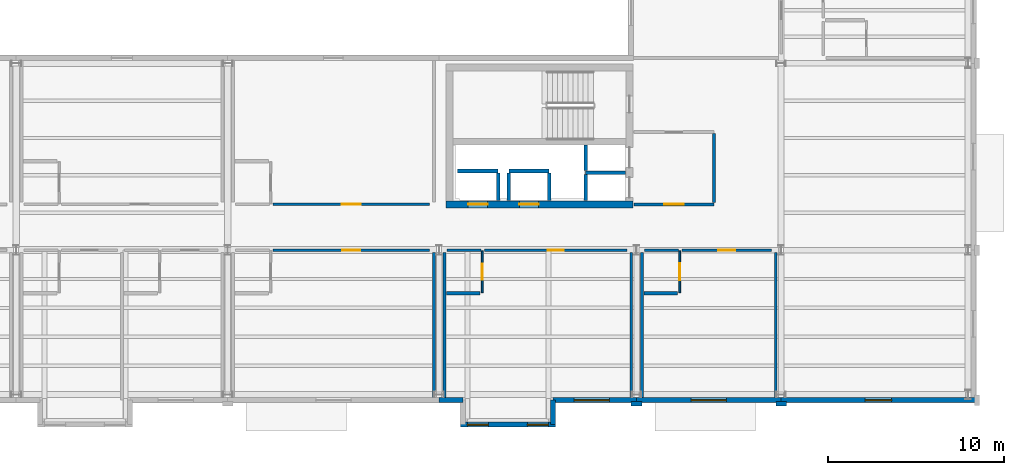
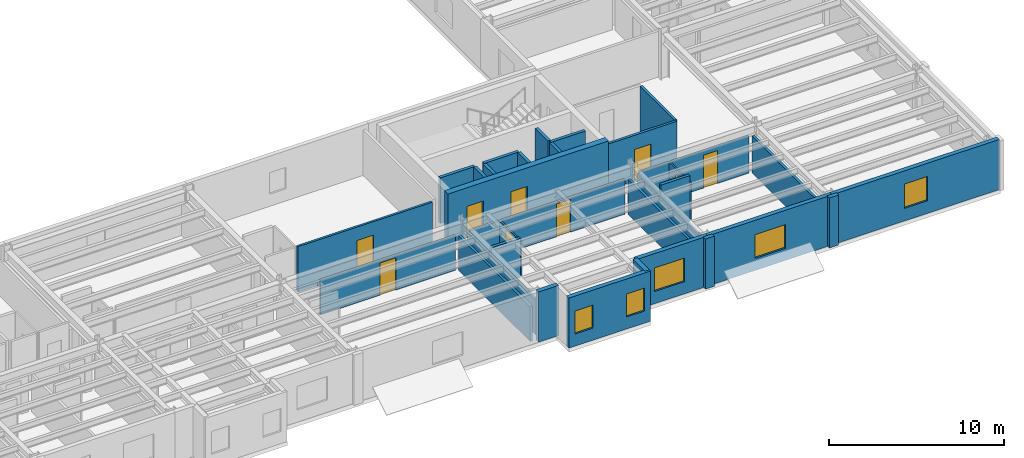
# One storey, part 12 of 19: 34 walls, 9 doors, 5 windows, 14 openings.
"""IFC4 building model written with IfcOpenShell, lengths in metres."""

from ifc_helpers import new_model, si_unit, direction, frame, frame_2d, origin, place, context, subcontext, project, spatial, rectangle, extrude, material, layer, layer_set, type_object, element, fill, save


model = new_model("IFC4")

# Units and contexts
model_context = context("Model", 3, precision=1e-05, world=origin(), true_north=direction((0.0, 1.0)))
body_context = subcontext(model_context, "Body", "Model", "MODEL_VIEW")
ifc_project = project(units=[si_unit("LENGTHUNIT", "METRE"), si_unit("AREAUNIT", "SQUARE_METRE"), si_unit("VOLUMEUNIT", "CUBIC_METRE"), si_unit("PLANEANGLEUNIT", "RADIAN"), si_unit("MASSUNIT", "GRAM", prefix="KILO")], contexts=[model_context])

# Site, building, storey
site_placement = place(None, origin())
site = spatial("IfcSite", under=ifc_project, at=site_placement, CompositionType="ELEMENT")
building_placement = place(site_placement, origin())
building = spatial("IfcBuilding", under=site, at=building_placement, Name="Sollismere Congress Hotel", CompositionType="ELEMENT")
storey_placement = place(building_placement, frame((0.0, 0.0, 34.10009765625)))
storey = spatial("IfcBuildingStorey", under=building, at=storey_placement, Name="L08", CompositionType="ELEMENT", Elevation=34.10009765625)

# Wall
ifc_material_1 = material(Name="Colorado Buff Sandstone Rainscreen on Insulated Backup", Category="masonry")
ifc_layer_1 = layer(ifc_material_1, 0.284912109375, Name="Colorado Buff Sandstone Rainscreen on Insulated Backup")
ifc_layer_set_1 = layer_set([ifc_layer_1], Name="Colorado Buff Sandstone Rainscreen on Insulated Backup")
wall_type_1 = type_object("IfcWallType", Name="WL-EXT285", PredefinedType="STANDARD", material=ifc_layer_set_1)
wall_1_placement = place(storey_placement, frame((136.0, -0.31005859375, 0.0), z_axis=(0.0, 0.0, 1.0), x_axis=(1.0, 0.0, 0.0)))
element("IfcWall", 1, at=wall_1_placement, inside=storey, type_object=wall_type_1, Name="Exterior wall EW-L08-834", PredefinedType="STANDARD", context=body_context, shape_type="SweptSolid", body=[
    extrude(rectangle(XDim=1.340087890625, YDim=0.284912109375, at=frame_2d((0.669921875, 0.0))), origin(), (0.0, 0.0, 1.0), 3.5),
])

# Wall, opening, window
wall_2_placement = place(storey_placement, frame((142.4599609375, -0.31005859375, 0.0), z_axis=(0.0, 0.0, 1.0), x_axis=(1.0, 0.0, 0.0)))
wall_2 = element("IfcWall", 2, at=wall_2_placement, inside=storey, type_object=wall_type_1, Name="Exterior wall EW-L08-835", PredefinedType="STANDARD", context=body_context, shape_type="SweptSolid", body=[
    extrude(rectangle(XDim=4.739990234375, YDim=0.284912109375, at=frame_2d((2.3701171875, 0.0))), origin(), (0.0, 0.0, 1.0), 3.5),
])
opening_1_placement = place(wall_2_placement, frame((1.195068359375, 0.0, 0.85009765625)))
opening_1 = element("IfcOpeningElement", 3, at=opening_1_placement, cuts=wall_2, Name="Opening W-L08-605", PredefinedType="OPENING", context=body_context, shape_type="SweptSolid", body=[
    extrude(rectangle(XDim=2.0, YDim=1.64990234375, at=frame_2d((1.0, 0.824951171875))), frame((0.0, 0.15234375, 0.0), z_axis=(0.0, -1.0, 0.0), x_axis=(1.0, 0.0, 0.0)), (0.0, 0.0, 1.0), 0.304931640625),
])
ifc_material_2 = material(Name="Thermally Broken Bronze Aluminum & Low-E Glass", Category="aluminium")
window_type_1 = type_object("IfcWindowType", Name="WN-P200x165", PartitioningType="SINGLE_PANEL", PredefinedType="WINDOW", material=ifc_material_2)
window_1_placement = place(opening_1_placement, origin())
window_1 = element("IfcWindow", 4, at=window_1_placement, inside=storey, type_object=window_type_1, Name="WIN-W-L08-605", OverallHeight=1.64990234375, OverallWidth=2.0, PartitioningType="SINGLE_PANEL", PredefinedType="WINDOW", context=body_context, shape_type="SweptSolid", body=[
    extrude(rectangle(XDim=2.0, YDim=1.64990234375, at=frame_2d((1.0, 0.824951171875))), frame((0.0, 0.030029296875, 0.0), z_axis=(0.0, -1.0, 0.0), x_axis=(1.0, 0.0, 0.0)), (0.0, 0.0, 1.0), 0.06005859375),
])
fill(opening_1, window_1)

# Wall, openings, windows
wall_3_placement = place(storey_placement, frame((137.199951171875, -1.699951171875, 0.0), z_axis=(0.0, 0.0, 1.0), x_axis=(1.0, 0.0, 0.0)))
wall_3 = element("IfcWall", 5, at=wall_3_placement, inside=storey, type_object=wall_type_1, Name="Exterior wall EW-L08-836", PredefinedType="STANDARD", context=body_context, shape_type="SweptSolid", body=[
    extrude(rectangle(XDim=5.400146484375, YDim=0.284912109375, at=frame_2d((2.7001953125, 0.0))), origin(), (0.0, 0.0, 1.0), 3.5),
])
opening_2_placement = place(wall_3_placement, frame((0.39990234375, 0.0, 0.85009765625)))
opening_2 = element("IfcOpeningElement", 6, at=opening_2_placement, cuts=wall_3, Name="Opening W-L08-606", PredefinedType="OPENING", context=body_context, shape_type="SweptSolid", body=[
    extrude(rectangle(XDim=1.199951171875, YDim=1.60009765625, at=frame_2d((0.60009765625, 0.800048828125))), frame((0.0, 0.15234375, 0.0), z_axis=(0.0, -1.0, 0.0), x_axis=(1.0, 0.0, 0.0)), (0.0, 0.0, 1.0), 0.304931640625),
])
opening_3_placement = place(wall_3_placement, frame((3.800048828125, 0.0, 0.85009765625)))
opening_3 = element("IfcOpeningElement", 7, at=opening_3_placement, cuts=wall_3, Name="Opening W-L08-607", PredefinedType="OPENING", context=body_context, shape_type="SweptSolid", body=[
    extrude(rectangle(XDim=1.199951171875, YDim=1.60009765625, at=frame_2d((0.60009765625, 0.800048828125))), frame((0.0, 0.15234375, 0.0), z_axis=(0.0, -1.0, 0.0), x_axis=(1.0, 0.0, 0.0)), (0.0, 0.0, 1.0), 0.304931640625),
])
window_type_2 = type_object("IfcWindowType", Name="WN-P120x160", PartitioningType="SINGLE_PANEL", PredefinedType="WINDOW", material=ifc_material_2)
window_2_placement = place(opening_2_placement, origin())
window_2 = element("IfcWindow", 8, at=window_2_placement, inside=storey, type_object=window_type_2, Name="WIN-W-L08-606", OverallHeight=1.60009765625, OverallWidth=1.199951171875, PartitioningType="SINGLE_PANEL", PredefinedType="WINDOW", context=body_context, shape_type="SweptSolid", body=[
    extrude(rectangle(XDim=1.199951171875, YDim=1.60009765625, at=frame_2d((0.60009765625, 0.800048828125))), frame((0.0, 0.030029296875, 0.0), z_axis=(0.0, -1.0, 0.0), x_axis=(1.0, 0.0, 0.0)), (0.0, 0.0, 1.0), 0.06005859375),
])
fill(opening_2, window_2)
window_3_placement = place(opening_3_placement, origin())
window_3 = element("IfcWindow", 9, at=window_3_placement, inside=storey, type_object=window_type_2, Name="WIN-W-L08-607", OverallHeight=1.60009765625, OverallWidth=1.199951171875, PartitioningType="SINGLE_PANEL", PredefinedType="WINDOW", context=body_context, shape_type="SweptSolid", body=[
    extrude(rectangle(XDim=1.199951171875, YDim=1.60009765625, at=frame_2d((0.60009765625, 0.800048828125))), frame((0.0, 0.030029296875, 0.0), z_axis=(0.0, -1.0, 0.0), x_axis=(1.0, 0.0, 0.0)), (0.0, 0.0, 1.0), 0.06005859375),
])
fill(opening_3, window_3)

# Wall
wall_4_placement = place(storey_placement, frame((142.4599609375, -1.699951171875, 0.0), z_axis=(0.0, 0.0, 1.0), x_axis=(0.0, 1.0, 0.0)))
element("IfcWall", 10, at=wall_4_placement, inside=storey, type_object=wall_type_1, Name="Exterior wall EW-L08-838", PredefinedType="STANDARD", context=body_context, shape_type="SweptSolid", body=[
    extrude(rectangle(XDim=1.389892578125, YDim=0.284912109375, at=frame_2d((0.69482421875, 0.0))), origin(), (0.0, 0.0, 1.0), 3.5),
])

# Wall, opening, window
wall_5_placement = place(storey_placement, frame((147.199951171875, -0.31005859375, 0.0), z_axis=(0.0, 0.0, 1.0), x_axis=(1.0, 0.0, 0.0)))
wall_5 = element("IfcWall", 11, at=wall_5_placement, inside=storey, type_object=wall_type_1, Name="Exterior wall EW-L08-839", PredefinedType="STANDARD", context=body_context, shape_type="SweptSolid", body=[
    extrude(rectangle(XDim=8.199951171875, YDim=0.284912109375, at=frame_2d((4.10009765625, 0.0))), origin(), (0.0, 0.0, 1.0), 3.5),
])
opening_4_placement = place(wall_5_placement, frame((3.10009765625, 0.0, 0.85009765625)))
opening_4 = element("IfcOpeningElement", 12, at=opening_4_placement, cuts=wall_5, Name="Opening W-L08-608", PredefinedType="OPENING", context=body_context, shape_type="SweptSolid", body=[
    extrude(rectangle(XDim=2.0, YDim=1.64990234375, at=frame_2d((1.0, 0.824951171875))), frame((0.0, 0.15234375, 0.0), z_axis=(0.0, -1.0, 0.0), x_axis=(1.0, 0.0, 0.0)), (0.0, 0.0, 1.0), 0.304931640625),
])
window_4_placement = place(opening_4_placement, origin())
window_4 = element("IfcWindow", 13, at=window_4_placement, inside=storey, type_object=window_type_1, Name="WIN-W-L08-608", OverallHeight=1.64990234375, OverallWidth=2.0, PartitioningType="SINGLE_PANEL", PredefinedType="WINDOW", context=body_context, shape_type="SweptSolid", body=[
    extrude(rectangle(XDim=2.0, YDim=1.64990234375, at=frame_2d((1.0, 0.824951171875))), frame((0.0, 0.030029296875, 0.0), z_axis=(0.0, -1.0, 0.0), x_axis=(1.0, 0.0, 0.0)), (0.0, 0.0, 1.0), 0.06005859375),
])
fill(opening_4, window_4)

wall_6_placement = place(storey_placement, frame((155.39990234375, -0.31005859375, 0.0), z_axis=(0.0, 0.0, 1.0), x_axis=(1.0, 0.0, 0.0)))
wall_6 = element("IfcWall", 14, at=wall_6_placement, inside=storey, type_object=wall_type_1, Name="Exterior wall EW-L08-841", PredefinedType="STANDARD", context=body_context, shape_type="SweptSolid", body=[
    extrude(rectangle(XDim=11.050048828125, YDim=0.284912109375, at=frame_2d((5.52490234375, 0.0))), origin(), (0.0, 0.0, 1.0), 3.5),
])
opening_5_placement = place(wall_6_placement, frame((4.77490234375, 0.0, 0.8798828125)))
opening_5 = element("IfcOpeningElement", 15, at=opening_5_placement, cuts=wall_6, Name="Opening W-L08-609", PredefinedType="OPENING", context=body_context, shape_type="SweptSolid", body=[
    extrude(rectangle(XDim=1.5, YDim=1.699951171875, at=frame_2d((0.75, 0.85009765625))), frame((0.0, 0.15234375, 0.0), z_axis=(0.0, -1.0, 0.0), x_axis=(1.0, 0.0, 0.0)), (0.0, 0.0, 1.0), 0.304931640625),
])
window_type_3 = type_object("IfcWindowType", Name="WN-P150x170", PartitioningType="SINGLE_PANEL", PredefinedType="WINDOW", material=ifc_material_2)
window_5_placement = place(opening_5_placement, origin())
window_5 = element("IfcWindow", 16, at=window_5_placement, inside=storey, type_object=window_type_3, Name="WIN-W-L08-609", OverallHeight=1.699951171875, OverallWidth=1.5, PartitioningType="SINGLE_PANEL", PredefinedType="WINDOW", context=body_context, shape_type="SweptSolid", body=[
    extrude(rectangle(XDim=1.5, YDim=1.699951171875, at=frame_2d((0.75, 0.85009765625))), frame((0.0, 0.030029296875, 0.0), z_axis=(0.0, -1.0, 0.0), x_axis=(1.0, 0.0, 0.0)), (0.0, 0.0, 1.0), 0.06005859375),
])
fill(opening_5, window_5)

# Walls
ifc_material_3 = material(Name="Carved Travertine Pilaster & Frieze Assembly", Category="masonry")
ifc_layer_2 = layer(ifc_material_3, 0.260009765625, Name="Carved Travertine Pilaster & Frieze Assembly")
ifc_layer_set_2 = layer_set([ifc_layer_2], Name="Carved Travertine Pilaster & Frieze Assembly")
wall_type_2 = type_object("IfcWallType", Name="WL-PIL280", PredefinedType="ELEMENTEDWALL", material=ifc_layer_set_2)
wall_7_placement = place(storey_placement, frame((146.89990234375, -0.52001953125, 0.0), z_axis=(0.0, 0.0, 1.0), x_axis=(1.0, 0.0, 0.0)))
element("IfcWall", 17, at=wall_7_placement, inside=storey, type_object=wall_type_2, Name="Exterior wall EW-L08-840", PredefinedType="ELEMENTEDWALL", context=body_context, shape_type="SweptSolid", body=[
    extrude(rectangle(XDim=0.60009765625, YDim=0.260009765625, at=frame_2d((0.300048828125, 0.0))), origin(), (0.0, 0.0, 1.0), 3.5),
])
wall_8_placement = place(storey_placement, frame((155.10009765625, -0.52001953125, 0.0), z_axis=(0.0, 0.0, 1.0), x_axis=(1.0, 0.0, 0.0)))
element("IfcWall", 18, at=wall_8_placement, inside=storey, type_object=wall_type_2, Name="Exterior wall EW-L08-842", PredefinedType="ELEMENTEDWALL", context=body_context, shape_type="SweptSolid", body=[
    extrude(rectangle(XDim=0.599853515625, YDim=0.260009765625, at=frame_2d((0.2998046875, 0.0))), origin(), (0.0, 0.0, 1.0), 3.5),
])
ifc_material_4 = material(Name="Moisture-Resistant Shaft Gypsum Assembly")
ifc_layer_3 = layer(ifc_material_4, 0.199951171875, Name="Moisture-Resistant Shaft Gypsum Assembly")
ifc_layer_set_3 = layer_set([ifc_layer_3], Name="Moisture-Resistant Shaft Gypsum Assembly")
wall_type_3 = type_object("IfcWallType", Name="WL-PLM200", PredefinedType="PLUMBINGWALL", material=ifc_layer_set_3)
wall_9_placement = place(storey_placement, frame((137.054931640625, 12.68994140625, 0.0), z_axis=(0.0, 0.0, 1.0), x_axis=(1.0, 0.0, 0.0)))
element("IfcWall", 19, at=wall_9_placement, inside=storey, type_object=wall_type_3, Name="Interior wall IW-L08-0150", PredefinedType="PLUMBINGWALL", context=body_context, shape_type="SweptSolid", body=[
    extrude(rectangle(XDim=2.2900390625, YDim=0.199951171875, at=frame_2d((1.14501953125, 0.0))), origin(), (0.0, 0.0, 1.0), 3.18994140625),
])
wall_10_placement = place(storey_placement, frame((139.344970703125, 11.011962890625, 0.0), z_axis=(0.0, 0.0, 1.0), x_axis=(0.0, 1.0, 0.0)))
element("IfcWall", 20, at=wall_10_placement, inside=storey, type_object=wall_type_3, Name="Interior wall IW-L08-0151", PredefinedType="PLUMBINGWALL", context=body_context, shape_type="SweptSolid", body=[
    extrude(rectangle(XDim=1.56591796875, YDim=0.199951171875, at=frame_2d((0.782958984375, 0.0))), origin(), (0.0, 0.0, 1.0), 3.18994140625),
])
wall_11_placement = place(storey_placement, frame((139.955078125, 12.68994140625, 0.0), z_axis=(0.0, 0.0, 1.0), x_axis=(1.0, 0.0, 0.0)))
element("IfcWall", 21, at=wall_11_placement, inside=storey, type_object=wall_type_3, Name="Interior wall IW-L08-0152", PredefinedType="PLUMBINGWALL", context=body_context, shape_type="SweptSolid", body=[
    extrude(rectangle(XDim=2.2900390625, YDim=0.199951171875, at=frame_2d((1.14501953125, 0.0))), origin(), (0.0, 0.0, 1.0), 3.18994140625),
])
for number, where, z_axis, x_axis, name in (
    (22, (139.955078125, 11.011962890625, 0.0), (0.0, 0.0, 1.0), (0.0, 1.0, 0.0), "Interior wall IW-L08-0153"),
    (23, (142.2451171875, 11.011962890625, 0.0), (0.0, 0.0, 1.0), (0.0, 1.0, 0.0), "Interior wall IW-L08-0154"),
):
    element("IfcWall", number, at=place(storey_placement, frame(where, z_axis=z_axis, x_axis=x_axis)), inside=storey, type_object=wall_type_3, Name=name, PredefinedType="PLUMBINGWALL", context=body_context, shape_type="SweptSolid", body=[
        extrude(rectangle(XDim=1.56591796875, YDim=0.199951171875, at=frame_2d((0.782958984375, 0.0))), origin(), (0.0, 0.0, 1.0), 3.18994140625),
    ])
wall_12_placement = place(storey_placement, frame((144.31005859375, 12.594970703125, 0.0), z_axis=(0.0, 0.0, 1.0), x_axis=(1.0, 0.0, 0.0)))
element("IfcWall", 24, at=wall_12_placement, inside=storey, type_object=wall_type_3, Name="Interior wall IW-L08-0155", PredefinedType="PLUMBINGWALL", context=body_context, shape_type="SweptSolid", body=[
    extrude(rectangle(XDim=2.27783203125, YDim=0.199951171875, at=frame_2d((1.138916015625, 0.0))), origin(), (0.0, 0.0, 1.0), 3.18994140625),
])
wall_13_placement = place(storey_placement, frame((144.31005859375, 11.011962890625, 0.0), z_axis=(0.0, 0.0, 1.0), x_axis=(0.0, 1.0, 0.0)))
element("IfcWall", 25, at=wall_13_placement, inside=storey, type_object=wall_type_3, Name="Interior wall IW-L08-0156", PredefinedType="PLUMBINGWALL", context=body_context, shape_type="SweptSolid", body=[
    extrude(rectangle(XDim=1.470947265625, YDim=0.199951171875, at=frame_2d((0.7353515625, 0.0))), origin(), (0.0, 0.0, 1.0), 3.18994140625),
])
wall_14_placement = place(storey_placement, frame((144.31005859375, 12.70703125, 0.0), z_axis=(0.0, 0.0, 1.0), x_axis=(0.0, 1.0, 0.0)))
element("IfcWall", 26, at=wall_14_placement, inside=storey, type_object=wall_type_3, Name="Interior wall IW-L08-0157", PredefinedType="PLUMBINGWALL", context=body_context, shape_type="SweptSolid", body=[
    extrude(rectangle(XDim=1.4560546875, YDim=0.199951171875, at=frame_2d((0.72802734375, 0.0))), origin(), (0.0, 0.0, 1.0), 3.18994140625),
])
wall_15_placement = place(storey_placement, frame((136.419921875, 5.75, 0.0), z_axis=(0.0, 0.0, 1.0), x_axis=(1.0, 0.0, 0.0)))
element("IfcWall", 27, at=wall_15_placement, inside=storey, type_object=wall_type_3, Name="Interior wall IW-L08-2518", PredefinedType="PLUMBINGWALL", context=body_context, shape_type="SweptSolid", body=[
    extrude(rectangle(XDim=1.91015625, YDim=0.199951171875, at=frame_2d((0.955078125, 0.0))), origin(), (0.0, 0.0, 1.0), 2.742919921875),
])
wall_16_placement = place(storey_placement, frame((147.6201171875, 5.75, 0.0), z_axis=(0.0, 0.0, 1.0), x_axis=(1.0, 0.0, 0.0)))
element("IfcWall", 28, at=wall_16_placement, inside=storey, type_object=wall_type_3, Name="Interior wall IW-L08-2524", PredefinedType="PLUMBINGWALL", context=body_context, shape_type="SweptSolid", body=[
    extrude(rectangle(XDim=1.909912109375, YDim=0.199951171875, at=frame_2d((0.955078125, 0.0))), origin(), (0.0, 0.0, 1.0), 3.18994140625),
])

# Wall, opening, door
ifc_material_5 = material(Name="Moisture-Resistant Gypsum Partition")
ifc_layer_4 = layer(ifc_material_5, 0.10009765625, Name="Moisture-Resistant Gypsum Partition")
ifc_layer_set_4 = layer_set([ifc_layer_4], Name="Moisture-Resistant Gypsum Partition")
wall_type_4 = type_object("IfcWallType", Name="WL-PRT100", PredefinedType="PARTITIONING", material=ifc_layer_set_4)
wall_17_placement = place(storey_placement, frame((138.449951171875, 5.7900390625, 0.0), z_axis=(0.0, 0.0, 1.0), x_axis=(0.0, 1.0, 0.0)))
wall_17 = element("IfcWall", 29, at=wall_17_placement, inside=storey, type_object=wall_type_4, Name="Interior wall IW-L08-2517", PredefinedType="PARTITIONING", context=body_context, shape_type="SweptSolid", body=[
    extrude(rectangle(XDim=2.369873046875, YDim=0.10009765625, at=frame_2d((1.18505859375, 0.0))), origin(), (0.0, 0.0, 1.0), 2.427978515625),
])
opening_6_placement = place(wall_17_placement, frame((0.719970703125, 0.0, 0.0)))
opening_6 = element("IfcOpeningElement", 30, at=opening_6_placement, cuts=wall_17, Name="Opening D-L08-0889", PredefinedType="OPENING", context=body_context, shape_type="SweptSolid", body=[
    extrude(rectangle(XDim=0.929931640625, YDim=2.219970703125, at=frame_2d((0.46484375, 1.10986328125))), frame((0.0, 0.06005859375, 0.0), z_axis=(0.0, -1.0, 0.0), x_axis=(1.0, 0.0, 0.0)), (0.0, 0.0, 1.0), 0.1201171875),
])
ifc_material_6 = material(Name="Moisture-Sealed Timber Bathroom Door", Category="wood")
door_type_1 = type_object("IfcDoorType", Name="DR-BT07", OperationType="NOTDEFINED", PredefinedType="DOOR", material=ifc_material_6)
door_1_placement = place(opening_6_placement, origin())
door_1 = element("IfcDoor", 31, at=door_1_placement, inside=storey, type_object=door_type_1, Name="En-suite bathroom door D-L08-0889", OperationType="SINGLE_SWING_RIGHT", OverallHeight=2.219970703125, OverallWidth=0.929931640625, PredefinedType="DOOR", context=body_context, shape_type="SweptSolid", body=[
    extrude(rectangle(XDim=0.929931640625, YDim=2.219970703125, at=frame_2d((0.46484375, 1.10986328125))), frame((0.0, 0.02490234375, 0.0), z_axis=(0.0, -1.0, 0.0), x_axis=(1.0, 0.0, 0.0)), (0.0, 0.0, 1.0), 0.050048828125),
])
fill(opening_6, door_1)

wall_18_placement = place(storey_placement, frame((149.64990234375, 5.7900390625, 0.0), z_axis=(0.0, 0.0, 1.0), x_axis=(0.0, 1.0, 0.0)))
wall_18 = element("IfcWall", 32, at=wall_18_placement, inside=storey, type_object=wall_type_4, Name="Interior wall IW-L08-2523", PredefinedType="PARTITIONING", context=body_context, shape_type="SweptSolid", body=[
    extrude(rectangle(XDim=2.369873046875, YDim=0.10009765625, at=frame_2d((1.18505859375, 0.0))), origin(), (0.0, 0.0, 1.0), 2.602783203125),
])
opening_7_placement = place(wall_18_placement, frame((0.7080078125, 0.0, 0.0)))
opening_7 = element("IfcOpeningElement", 33, at=opening_7_placement, cuts=wall_18, Name="Opening D-L08-0891", PredefinedType="OPENING", context=body_context, shape_type="SweptSolid", body=[
    extrude(rectangle(XDim=0.955078125, YDim=2.219970703125, at=frame_2d((0.4775390625, 1.10986328125))), frame((0.0, 0.06005859375, 0.0), z_axis=(0.0, -1.0, 0.0), x_axis=(1.0, 0.0, 0.0)), (0.0, 0.0, 1.0), 0.1201171875),
])
door_type_2 = type_object("IfcDoorType", Name="DR-BT08", OperationType="NOTDEFINED", PredefinedType="DOOR", material=ifc_material_6)
door_2_placement = place(opening_7_placement, origin())
door_2 = element("IfcDoor", 34, at=door_2_placement, inside=storey, type_object=door_type_2, Name="En-suite bathroom door D-L08-0891", OperationType="SINGLE_SWING_RIGHT", OverallHeight=2.219970703125, OverallWidth=0.955078125, PredefinedType="DOOR", context=body_context, shape_type="SweptSolid", body=[
    extrude(rectangle(XDim=0.955078125, YDim=2.219970703125, at=frame_2d((0.4775390625, 1.10986328125))), frame((0.0, 0.02490234375, 0.0), z_axis=(0.0, -1.0, 0.0), x_axis=(1.0, 0.0, 0.0)), (0.0, 0.0, 1.0), 0.050048828125),
])
fill(opening_7, door_2)

ifc_material_7 = material(Name="Fire-Rated Gypsum Partition")
ifc_layer_5 = layer(ifc_material_7, 0.139892578125, Name="Fire-Rated Gypsum Partition")
ifc_layer_set_5 = layer_set([ifc_layer_5], Name="Fire-Rated Gypsum Partition")
wall_type_5 = type_object("IfcWallType", Name="WL-PRT140R", PredefinedType="PARTITIONING", material=ifc_layer_set_5)
wall_19_placement = place(storey_placement, frame((126.570068359375, 8.199951171875, 0.0), z_axis=(0.0, 0.0, 1.0), x_axis=(1.0, 0.0, 0.0)))
wall_19 = element("IfcWall", 35, at=wall_19_placement, inside=storey, type_object=wall_type_5, Name="Interior wall IW-L08-2502", PredefinedType="PARTITIONING", context=body_context, shape_type="SweptSolid", body=[
    extrude(rectangle(XDim=8.889892578125, YDim=0.139892578125, at=frame_2d((4.44482421875, 0.0))), origin(), (0.0, 0.0, 1.0), 2.427978515625),
])
opening_8_placement = place(wall_19_placement, frame((3.925048828125, 0.0, 0.0)))
opening_8 = element("IfcOpeningElement", 36, at=opening_8_placement, cuts=wall_19, Name="Opening D-L08-0884", PredefinedType="OPENING", context=body_context, shape_type="SweptSolid", body=[
    extrude(rectangle(XDim=1.0400390625, YDim=2.25, at=frame_2d((0.52001953125, 1.125))), frame((0.0, 0.079833984375, 0.0), z_axis=(0.0, -1.0, 0.0), x_axis=(1.0, 0.0, 0.0)), (0.0, 0.0, 1.0), 0.159912109375),
])
ifc_material_8 = material(Name="Solid-Core Acoustic Walnut Guestroom Entry Door")
door_type_3 = type_object("IfcDoorType", Name="DR-KY05", OperationType="NOTDEFINED", PredefinedType="DOOR", material=ifc_material_8)
door_3_placement = place(opening_8_placement, origin())
door_3 = element("IfcDoor", 37, at=door_3_placement, inside=storey, type_object=door_type_3, Name="Hotel room entry door D-L08-0884", OperationType="SINGLE_SWING_LEFT", OverallHeight=2.25, OverallWidth=1.0400390625, PredefinedType="DOOR", context=body_context, shape_type="SweptSolid", body=[
    extrude(rectangle(XDim=1.0400390625, YDim=2.25, at=frame_2d((0.52001953125, 1.125))), frame((0.0, 0.02490234375, 0.0), z_axis=(0.0, -1.0, 0.0), x_axis=(1.0, 0.0, 0.0)), (0.0, 0.0, 1.0), 0.050048828125),
])
fill(opening_8, door_3)

wall_20_placement = place(storey_placement, frame((126.570068359375, 10.800048828125, 0.0), z_axis=(0.0, 0.0, 1.0), x_axis=(1.0, 0.0, 0.0)))
wall_20 = element("IfcWall", 38, at=wall_20_placement, inside=storey, type_object=wall_type_5, Name="Interior wall IW-L08-2508", PredefinedType="PARTITIONING", context=body_context, shape_type="SweptSolid", body=[
    extrude(rectangle(XDim=8.889892578125, YDim=0.139892578125, at=frame_2d((4.44482421875, 0.0))), origin(), (0.0, 0.0, 1.0), 3.18994140625),
])
opening_9_placement = place(wall_20_placement, frame((3.909912109375, 0.0, 0.0)))
opening_9 = element("IfcOpeningElement", 39, at=opening_9_placement, cuts=wall_20, Name="Opening D-L08-0886", PredefinedType="OPENING", context=body_context, shape_type="SweptSolid", body=[
    extrude(rectangle(XDim=1.070068359375, YDim=2.25, at=frame_2d((0.53515625, 1.125))), frame((0.0, 0.079833984375, 0.0), z_axis=(0.0, -1.0, 0.0), x_axis=(1.0, 0.0, 0.0)), (0.0, 0.0, 1.0), 0.159912109375),
])
door_type_4 = type_object("IfcDoorType", Name="DR-KY06", OperationType="NOTDEFINED", PredefinedType="DOOR", material=ifc_material_8)
door_4_placement = place(opening_9_placement, origin())
door_4 = element("IfcDoor", 40, at=door_4_placement, inside=storey, type_object=door_type_4, Name="Hotel room entry door D-L08-0886", OperationType="SINGLE_SWING_LEFT", OverallHeight=2.25, OverallWidth=1.070068359375, PredefinedType="DOOR", context=body_context, shape_type="SweptSolid", body=[
    extrude(rectangle(XDim=1.070068359375, YDim=2.25, at=frame_2d((0.53515625, 1.125))), frame((0.0, 0.02490234375, 0.0), z_axis=(0.0, -1.0, 0.0), x_axis=(1.0, 0.0, 0.0)), (0.0, 0.0, 1.0), 0.050048828125),
])
fill(opening_9, door_4)

# Wall
wall_21_placement = place(storey_placement, frame((136.43994140625, 8.199951171875, 0.0), z_axis=(0.0, 0.0, 1.0), x_axis=(1.0, 0.0, 0.0)))
element("IfcWall", 41, at=wall_21_placement, inside=storey, type_object=wall_type_5, Name="Interior wall IW-L08-2513", PredefinedType="PARTITIONING", context=body_context, shape_type="SweptSolid", body=[
    extrude(rectangle(XDim=1.93017578125, YDim=0.139892578125, at=frame_2d((0.965087890625, 0.0))), origin(), (0.0, 0.0, 1.0), 2.427978515625),
])

# Wall, opening, door
wall_22_placement = place(storey_placement, frame((138.570068359375, 8.199951171875, 0.0), z_axis=(0.0, 0.0, 1.0), x_axis=(1.0, 0.0, 0.0)))
wall_22 = element("IfcWall", 42, at=wall_22_placement, inside=storey, type_object=wall_type_5, Name="Interior wall IW-L08-2514", PredefinedType="PARTITIONING", context=body_context, shape_type="SweptSolid", body=[
    extrude(rectangle(XDim=8.08984375, YDim=0.139892578125, at=frame_2d((4.044921875, 0.0))), origin(), (0.0, 0.0, 1.0), 2.427978515625),
])
opening_10_placement = place(wall_22_placement, frame((3.5849609375, 0.0, 0.0)))
opening_10 = element("IfcOpeningElement", 43, at=opening_10_placement, cuts=wall_22, Name="Opening D-L08-0888", PredefinedType="OPENING", context=body_context, shape_type="SweptSolid", body=[
    extrude(rectangle(XDim=0.919921875, YDim=2.300048828125, at=frame_2d((0.4599609375, 1.14990234375))), frame((0.0, 0.079833984375, 0.0), z_axis=(0.0, -1.0, 0.0), x_axis=(1.0, 0.0, 0.0)), (0.0, 0.0, 1.0), 0.159912109375),
])
door_type_5 = type_object("IfcDoorType", Name="DR-KY07", OperationType="NOTDEFINED", PredefinedType="DOOR", material=ifc_material_8)
door_5_placement = place(opening_10_placement, origin())
door_5 = element("IfcDoor", 44, at=door_5_placement, inside=storey, type_object=door_type_5, Name="Hotel room entry door D-L08-0888", OperationType="SINGLE_SWING_LEFT", OverallHeight=2.300048828125, OverallWidth=0.919921875, PredefinedType="DOOR", context=body_context, shape_type="SweptSolid", body=[
    extrude(rectangle(XDim=0.919921875, YDim=2.300048828125, at=frame_2d((0.4599609375, 1.14990234375))), frame((0.0, 0.02490234375, 0.0), z_axis=(0.0, -1.0, 0.0), x_axis=(1.0, 0.0, 0.0)), (0.0, 0.0, 1.0), 0.050048828125),
])
fill(opening_10, door_5)

# Wall
wall_23_placement = place(storey_placement, frame((147.639892578125, 8.199951171875, 0.0), z_axis=(0.0, 0.0, 1.0), x_axis=(1.0, 0.0, 0.0)))
element("IfcWall", 45, at=wall_23_placement, inside=storey, type_object=wall_type_5, Name="Interior wall IW-L08-2519", PredefinedType="PARTITIONING", context=body_context, shape_type="SweptSolid", body=[
    extrude(rectangle(XDim=1.93017578125, YDim=0.139892578125, at=frame_2d((0.965087890625, 0.0))), origin(), (0.0, 0.0, 1.0), 2.602783203125),
])

# Wall, opening, door
wall_24_placement = place(storey_placement, frame((149.77001953125, 8.199951171875, 0.0), z_axis=(0.0, 0.0, 1.0), x_axis=(1.0, 0.0, 0.0)))
wall_24 = element("IfcWall", 46, at=wall_24_placement, inside=storey, type_object=wall_type_5, Name="Interior wall IW-L08-2520", PredefinedType="PARTITIONING", context=body_context, shape_type="SweptSolid", body=[
    extrude(rectangle(XDim=5.090087890625, YDim=0.139892578125, at=frame_2d((2.544921875, 0.0))), origin(), (0.0, 0.0, 1.0), 2.602783203125),
])
opening_11_placement = place(wall_24_placement, frame((2.070068359375, 0.0, 0.0)))
opening_11 = element("IfcOpeningElement", 47, at=opening_11_placement, cuts=wall_24, Name="Opening D-L08-0890", PredefinedType="OPENING", context=body_context, shape_type="SweptSolid", body=[
    extrude(rectangle(XDim=0.949951171875, YDim=2.300048828125, at=frame_2d((0.47509765625, 1.14990234375))), frame((0.0, 0.079833984375, 0.0), z_axis=(0.0, -1.0, 0.0), x_axis=(1.0, 0.0, 0.0)), (0.0, 0.0, 1.0), 0.159912109375),
])
door_type_6 = type_object("IfcDoorType", Name="DR-KY08", OperationType="NOTDEFINED", PredefinedType="DOOR", material=ifc_material_8)
door_6_placement = place(opening_11_placement, origin())
door_6 = element("IfcDoor", 48, at=door_6_placement, inside=storey, type_object=door_type_6, Name="Hotel room entry door D-L08-0890", OperationType="SINGLE_SWING_LEFT", OverallHeight=2.300048828125, OverallWidth=0.949951171875, PredefinedType="DOOR", context=body_context, shape_type="SweptSolid", body=[
    extrude(rectangle(XDim=0.949951171875, YDim=2.300048828125, at=frame_2d((0.47509765625, 1.14990234375))), frame((0.0, 0.02490234375, 0.0), z_axis=(0.0, -1.0, 0.0), x_axis=(1.0, 0.0, 0.0)), (0.0, 0.0, 1.0), 0.050048828125),
])
fill(opening_11, door_6)

ifc_material_9 = material(Name="Fire-Rated Acoustic Gypsum Partition")
ifc_layer_6 = layer(ifc_material_9, 0.1650390625, Name="Fire-Rated Acoustic Gypsum Partition")
ifc_layer_set_6 = layer_set([ifc_layer_6], Name="Fire-Rated Acoustic Gypsum Partition")
wall_type_6 = type_object("IfcWallType", Name="WL-PRT165R", PredefinedType="PARTITIONING", material=ifc_layer_set_6)
wall_25_placement = place(storey_placement, frame((147.050048828125, 10.800048828125, 0.0), z_axis=(0.0, 0.0, 1.0), x_axis=(1.0, 0.0, 0.0)))
wall_25 = element("IfcWall", 49, at=wall_25_placement, inside=storey, type_object=wall_type_6, Name="Interior wall IW-L08-0158", PredefinedType="PARTITIONING", context=body_context, shape_type="SweptSolid", body=[
    extrude(rectangle(XDim=4.550048828125, YDim=0.1650390625, at=frame_2d((2.27490234375, 0.0))), origin(), (0.0, 0.0, 1.0), 3.18994140625),
])
opening_12_placement = place(wall_25_placement, frame((1.72509765625, 0.0, 0.0)))
opening_12 = element("IfcOpeningElement", 50, at=opening_12_placement, cuts=wall_25, Name="Opening D-FFL-L08", PredefinedType="OPENING", context=body_context, shape_type="SweptSolid", body=[
    extrude(rectangle(XDim=1.10009765625, YDim=2.199951171875, at=frame_2d((0.550048828125, 1.10009765625))), frame((0.0, 0.092529296875, 0.0), z_axis=(0.0, -1.0, 0.0), x_axis=(1.0, 0.0, 0.0)), (0.0, 0.0, 1.0), 0.18505859375),
])
ifc_material_10 = material(Name="Smoke-Barrier Rated Timber-Clad Steel Door", Category="steel")
door_type_7 = type_object("IfcDoorType", Name="DR-FFL110", OperationType="NOTDEFINED", PredefinedType="DOOR", material=ifc_material_10)
door_7_placement = place(opening_12_placement, origin())
door_7 = element("IfcDoor", 51, at=door_7_placement, inside=storey, type_object=door_type_7, Name="Firefighting lobby smoke door D-FFL-L08", OperationType="SINGLE_SWING_LEFT", OverallHeight=2.199951171875, OverallWidth=1.10009765625, PredefinedType="DOOR", context=body_context, shape_type="SweptSolid", body=[
    extrude(rectangle(XDim=1.10009765625, YDim=2.199951171875, at=frame_2d((0.550048828125, 1.10009765625))), frame((0.0, 0.02490234375, 0.0), z_axis=(0.0, -1.0, 0.0), x_axis=(1.0, 0.0, 0.0)), (0.0, 0.0, 1.0), 0.050048828125),
])
fill(opening_12, door_7)

# Walls
wall_26_placement = place(storey_placement, frame((151.60009765625, 10.89453125, 0.0), z_axis=(0.0, 0.0, 1.0), x_axis=(0.0, 1.0, 0.0)))
element("IfcWall", 52, at=wall_26_placement, inside=storey, type_object=wall_type_6, Name="Interior wall IW-L08-0160", PredefinedType="PARTITIONING", context=body_context, shape_type="SweptSolid", body=[
    extrude(rectangle(XDim=3.910888671875, YDim=0.1650390625, at=frame_2d((1.95556640625, 0.0))), origin(), (0.0, 0.0, 1.0), 3.18994140625),
])
for number, where, z_axis, x_axis, name in (
    (53, (135.699951171875, -0.152587890625, 0.0), (0.0, 0.0, 1.0), (0.0, 1.0, 0.0), "Interior wall IW-L08-2504"),
    (54, (136.300048828125, -0.152587890625, 0.0), (0.0, 0.0, 1.0), (0.0, 1.0, 0.0), "Interior wall IW-L08-2515"),
    (55, (146.89990234375, -0.152587890625, 0.0), (0.0, 0.0, 1.0), (0.0, 1.0, 0.0), "Interior wall IW-L08-2516"),
):
    element("IfcWall", number, at=place(storey_placement, frame(where, z_axis=z_axis, x_axis=x_axis)), inside=storey, type_object=wall_type_6, Name=name, PredefinedType="PARTITIONING", context=body_context, shape_type="SweptSolid", body=[
        extrude(rectangle(XDim=8.212646484375, YDim=0.1650390625, at=frame_2d((4.1064453125, 0.0))), origin(), (0.0, 0.0, 1.0), 2.427978515625),
    ])
for number, where, z_axis, x_axis, name in (
    (56, (147.5, -0.152587890625, 0.0), (0.0, 0.0, 1.0), (0.0, 1.0, 0.0), "Interior wall IW-L08-2521"),
    (57, (155.10009765625, -0.152587890625, 0.0), (0.0, 0.0, 1.0), (0.0, 1.0, 0.0), "Interior wall IW-L08-2522"),
):
    element("IfcWall", number, at=place(storey_placement, frame(where, z_axis=z_axis, x_axis=x_axis)), inside=storey, type_object=wall_type_6, Name=name, PredefinedType="PARTITIONING", context=body_context, shape_type="SweptSolid", body=[
        extrude(rectangle(XDim=8.212646484375, YDim=0.1650390625, at=frame_2d((4.1064453125, 0.0))), origin(), (0.0, 0.0, 1.0), 2.579833984375),
    ])

# Wall, openings, doors
ifc_material_11 = material(Name="Concrete C50/60", Category="concrete")
ifc_layer_7 = layer(ifc_material_11, 0.39990234375, Name="Concrete C50/60")
ifc_layer_set_7 = layer_set([ifc_layer_7], Name="Concrete C50/60")
wall_type_7 = type_object("IfcWallType", Name="WL-SHR400", PredefinedType="SHEAR", material=ifc_layer_set_7)
wall_27_placement = place(storey_placement, frame((136.39990234375, 10.800048828125, 0.0), z_axis=(0.0, 0.0, 1.0), x_axis=(1.0, 0.0, 0.0)))
wall_27 = element("IfcWall", 58, at=wall_27_placement, inside=storey, type_object=wall_type_7, Name="Interior wall IW-L08-0145", PredefinedType="SHEAR", context=body_context, shape_type="SweptSolid", body=[
    extrude(rectangle(XDim=10.60009765625, YDim=0.39990234375, at=frame_2d((5.300048828125, 0.0))), origin(), (0.0, 0.0, 1.0), 3.5),
])
opening_13_placement = place(wall_27_placement, frame((1.25, 0.0, 0.0)))
opening_13 = element("IfcOpeningElement", 59, at=opening_13_placement, cuts=wall_27, Name="Opening LD-LP-01-L08", PredefinedType="OPENING", context=body_context, shape_type="SweptSolid", body=[
    extrude(rectangle(XDim=1.10009765625, YDim=2.199951171875, at=frame_2d((0.550048828125, 1.10009765625))), frame((0.0, 0.2099609375, 0.0), z_axis=(0.0, -1.0, 0.0), x_axis=(1.0, 0.0, 0.0)), (0.0, 0.0, 1.0), 0.419921875),
])
opening_14_placement = place(wall_27_placement, frame((4.14990234375, 0.0, 0.0)))
opening_14 = element("IfcOpeningElement", 60, at=opening_14_placement, cuts=wall_27, Name="Opening LD-LP-02-L08", PredefinedType="OPENING", context=body_context, shape_type="SweptSolid", body=[
    extrude(rectangle(XDim=1.10009765625, YDim=2.199951171875, at=frame_2d((0.550048828125, 1.10009765625))), frame((0.0, 0.2099609375, 0.0), z_axis=(0.0, -1.0, 0.0), x_axis=(1.0, 0.0, 0.0)), (0.0, 0.0, 1.0), 0.419921875),
])
ifc_material_12 = material(Name="Brushed Bronze Sliding Elevator Landing Door")
door_type_8 = type_object("IfcDoorType", Name="DR-LD110", OperationType="NOTDEFINED", PredefinedType="DOOR", material=ifc_material_12)
door_8_placement = place(opening_13_placement, origin())
door_8 = element("IfcDoor", 61, at=door_8_placement, inside=storey, type_object=door_type_8, Name="Elevator landing door LD-LP-01-L08", OperationType="SLIDING_TO_LEFT", OverallHeight=2.199951171875, OverallWidth=1.10009765625, PredefinedType="DOOR", context=body_context, shape_type="SweptSolid", body=[
    extrude(rectangle(XDim=1.10009765625, YDim=2.199951171875, at=frame_2d((0.550048828125, 1.10009765625))), frame((0.0, 0.02490234375, 0.0), z_axis=(0.0, -1.0, 0.0), x_axis=(1.0, 0.0, 0.0)), (0.0, 0.0, 1.0), 0.050048828125),
])
fill(opening_13, door_8)
door_9_placement = place(opening_14_placement, origin())
door_9 = element("IfcDoor", 62, at=door_9_placement, inside=storey, type_object=door_type_8, Name="Elevator landing door LD-LP-02-L08", OperationType="SLIDING_TO_RIGHT", OverallHeight=2.199951171875, OverallWidth=1.10009765625, PredefinedType="DOOR", context=body_context, shape_type="SweptSolid", body=[
    extrude(rectangle(XDim=1.10009765625, YDim=2.199951171875, at=frame_2d((0.550048828125, 1.10009765625))), frame((0.0, 0.02490234375, 0.0), z_axis=(0.0, -1.0, 0.0), x_axis=(1.0, 0.0, 0.0)), (0.0, 0.0, 1.0), 0.050048828125),
])
fill(opening_14, door_9)

save(model, "model.ifc")
